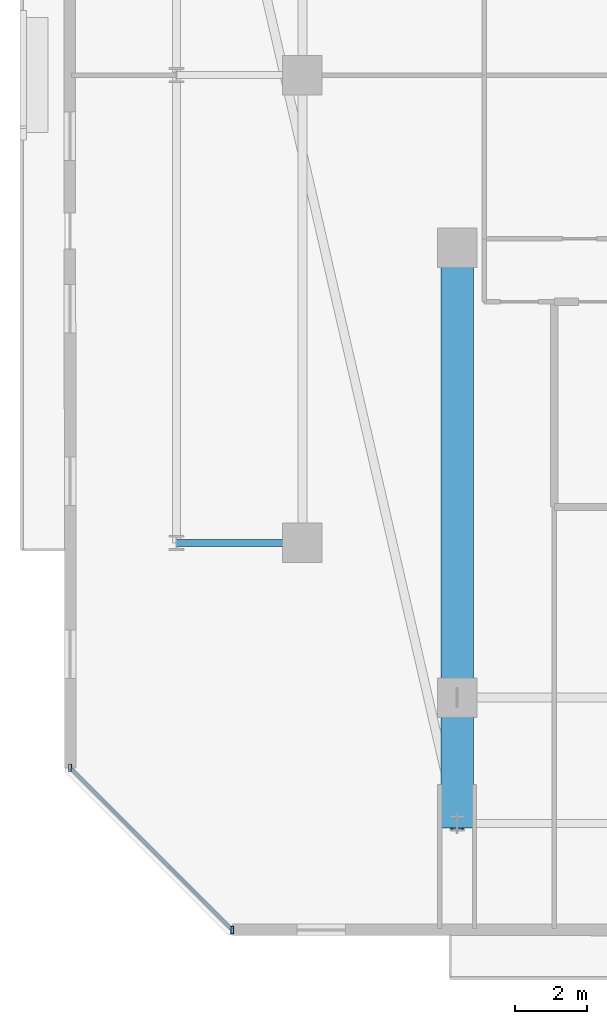
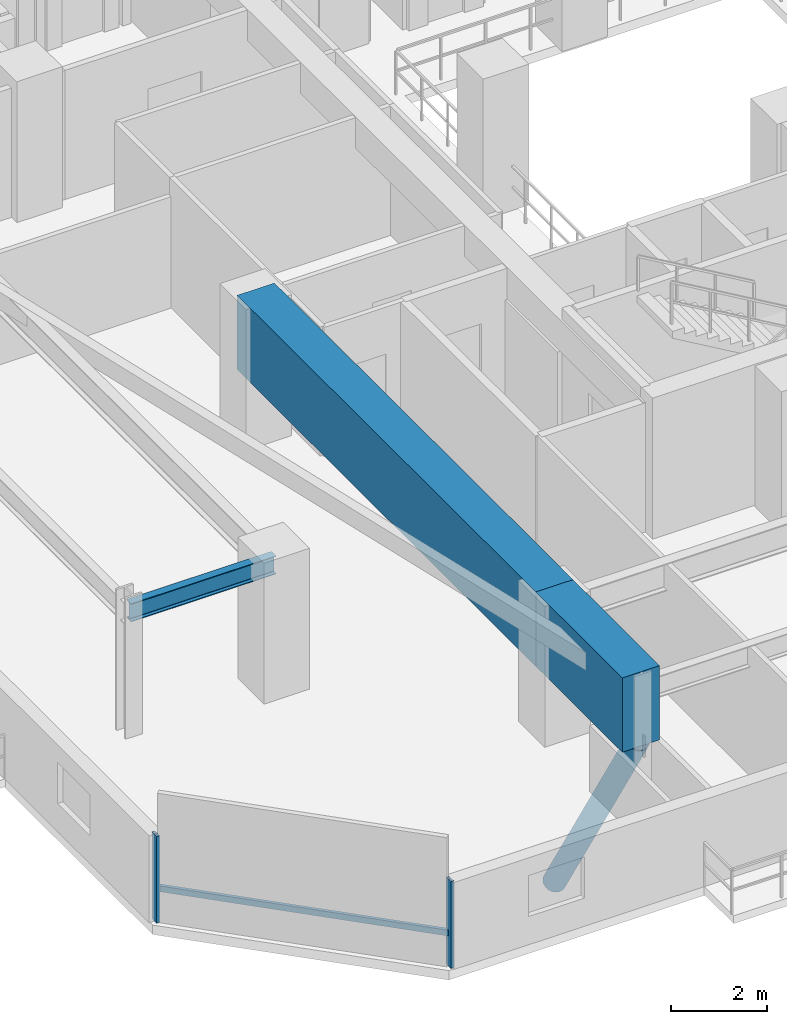
# One storey, part 3 of 35: 4 members, 3 beams, 1 element without a shape of its own.
"""IFC4 building model written with IfcOpenShell, lengths in metres."""

from ifc_helpers import new_model, si_unit, direction, frame, origin, origin_2d, place, context, subcontext, project, spatial, rectangle, hollow_rectangle, hollow_circle, i_section, extrude, material, material_profile, profile_set, type_object, element, aggregate, save


model = new_model("IFC4")

# Units and contexts
model_context = context("Model", 3, precision=1e-05, world=origin(), true_north=direction((0.0, 1.0)))
body_context = subcontext(model_context, "Body", "Model", "MODEL_VIEW")
ifc_project = project(units=[si_unit("LENGTHUNIT", "METRE"), si_unit("AREAUNIT", "SQUARE_METRE"), si_unit("VOLUMEUNIT", "CUBIC_METRE"), si_unit("PLANEANGLEUNIT", "RADIAN"), si_unit("MASSUNIT", "GRAM", prefix="KILO")], contexts=[model_context])

# Site, building, storey
site_placement = place(None, origin())
site = spatial("IfcSite", under=ifc_project, at=site_placement, CompositionType="ELEMENT")
building_placement = place(site_placement, origin())
building = spatial("IfcBuilding", under=site, at=building_placement, Name="Thornwick Lancets Civic Towers", CompositionType="ELEMENT")
storey_placement = place(building_placement, frame((0.0, 0.0, 145.5)))
storey = spatial("IfcBuildingStorey", under=building, at=storey_placement, Name="L38", CompositionType="ELEMENT", Elevation=145.5)

# Beams
ifc_material_1 = material(Name="Steel S355JR", Category="steel")
ifc_material_profile_1 = material_profile(ifc_material_1, i_section(OverallWidth=0.19189453125, OverallDepth=0.46337890625, WebThickness=0.010498046875, FlangeThickness=0.017578125, FilletRadius=0.01025390625, at=origin_2d()), Name="UKB 457x191x89")
ifc_profile_set_1 = profile_set([ifc_material_profile_1], Name="Steel S355JR")
beam_type_1 = type_object("IfcBeamType", Name="BM_JOIST_457_89", PredefinedType="JOIST", material=ifc_profile_set_1)
beam_1_placement = place(storey_placement, frame((8.199951171875, 14.0, 3.08837890625), z_axis=(-1.0, 0.0, 0.0), x_axis=(0.0, -1.0, 0.0)))
element("IfcBeam", 1, at=beam_1_placement, inside=storey, type_object=beam_type_1, Name="BM-RAD-L38-A10", PredefinedType="JOIST", context=body_context, shape_type="SweptSolid", body=[
    extrude(i_section(OverallWidth=0.19189453125, OverallDepth=0.46337890625, WebThickness=0.010498046875, FlangeThickness=0.017578125, FilletRadius=0.01025390625, at=origin_2d()), origin(), (0.0, 0.0, 1.0), 3.5),
])
ifc_material_2 = material(Name="Concrete C60/75", Category="concrete")
ifc_material_profile_2 = material_profile(ifc_material_2, rectangle(XDim=0.89990234375, YDim=1.89990234375, at=origin_2d()), Name="RC 900x1900")
ifc_profile_set_2 = profile_set([ifc_material_profile_2], Name="Concrete C60/75")
beam_type_2 = type_object("IfcBeamType", Name="BM_TR_RC1900", PredefinedType="BEAM", material=ifc_profile_set_2)
beam_2_placement = place(storey_placement, frame((12.5, 22.199951171875, 2.64990234375), z_axis=(0.0, -1.0, 0.0), x_axis=(1.0, 0.0, 0.0)))
element("IfcBeam", 2, at=beam_2_placement, inside=storey, type_object=beam_type_2, Name="TG-BACK-L39-A01", PredefinedType="BEAM", context=body_context, shape_type="SweptSolid", body=[
    extrude(rectangle(XDim=0.89990234375, YDim=1.89990234375, at=origin_2d()), origin(), (0.0, 0.0, 1.0), 12.5),
])
beam_3_placement = place(storey_placement, frame((12.5, 9.699951171875, 2.64990234375), z_axis=(0.0, -1.0, 0.0), x_axis=(1.0, 0.0, 0.0)))
element("IfcBeam", 3, at=beam_3_placement, inside=storey, type_object=beam_type_2, Name="TG-CANT-L39-A01", PredefinedType="BEAM", context=body_context, shape_type="SweptSolid", body=[
    extrude(rectangle(XDim=0.89990234375, YDim=1.89990234375, at=origin_2d()), origin(), (0.0, 0.0, 1.0), 3.619873046875),
])

# Curtain wall, members
ifc_material_3 = material(Name="Mid-zone chamfered-corner unitised glass curtain wall", Category="glass")
curtain_wall_type = type_object("IfcCurtainWallType", Name="CW_SYS_04", PredefinedType="NOTDEFINED", material=ifc_material_3)
curtain_wall_placement = place(storey_placement, origin())
curtain_wall = element("IfcCurtainWall", 4, at=curtain_wall_placement, inside=storey, type_object=curtain_wall_type, Name="L38 Curtain Wall CW-L38-A-E7", PredefinedType="NOTDEFINED")
ifc_material_4 = material(Name="Thermally broken bronze aluminium S355", Category="steel")
ifc_material_profile_3 = material_profile(ifc_material_4, hollow_rectangle(XDim=0.080078125, YDim=0.199951171875, WallThickness=0.006103515625, at=origin_2d()), Name="RHS 200x80x6")
ifc_profile_set_3 = profile_set([ifc_material_profile_3], Name="Thermally broken bronze aluminium S355")
member_type_1 = type_object("IfcMemberType", Name="CW_MUL_200", PredefinedType="MULLION", material=ifc_profile_set_3)
member_1_placement = place(storey_placement, frame((1.74169921875, 7.7490234375, 0.0), z_axis=(0.0, 0.0, 1.0), x_axis=(1.0, 0.0, 0.0)))
member_1 = element("IfcMember", 5, at=member_1_placement, type_object=member_type_1, Name="CW-L38-A-E7 Mullion 0", PredefinedType="MULLION", context=body_context, shape_type="SweptSolid", body=[
    extrude(hollow_rectangle(XDim=0.080078125, YDim=0.199951171875, WallThickness=0.006103515625, at=origin_2d()), origin(), (0.0, 0.0, 1.0), 2.219970703125),
])
member_2_placement = place(storey_placement, frame((6.2490234375, 3.24169921875, 0.0), z_axis=(0.0, 0.0, 1.0), x_axis=(1.0, 0.0, 0.0)))
member_2 = element("IfcMember", 6, at=member_2_placement, type_object=member_type_1, Name="CW-L38-A-E7 Mullion 1", PredefinedType="MULLION", context=body_context, shape_type="SweptSolid", body=[
    extrude(hollow_rectangle(XDim=0.080078125, YDim=0.199951171875, WallThickness=0.006103515625, at=origin_2d()), origin(), (0.0, 0.0, 1.0), 2.219970703125),
])
ifc_material_profile_4 = material_profile(ifc_material_4, hollow_rectangle(XDim=0.074951171875, YDim=0.14990234375, WallThickness=0.0048828125, at=origin_2d()), Name="RHS 150x75x5")
ifc_profile_set_4 = profile_set([ifc_material_profile_4], Name="Thermally broken bronze aluminium S355")
member_type_2 = type_object("IfcMemberType", Name="CW_TRN_150", PredefinedType="USERDEFINED", material=ifc_profile_set_4)
member_3_placement = place(storey_placement, frame((1.755859375, 7.73486328125, 0.85009765625), z_axis=(0.707106781187, -0.707106781187, 0.0), x_axis=(0.707106781187, 0.707106781187, 0.0)))
member_3 = element("IfcMember", 7, at=member_3_placement, type_object=member_type_2, Name="CW-L38-A-E7 Transom 0", ObjectType="TRANSOM", PredefinedType="USERDEFINED", context=body_context, shape_type="SweptSolid", body=[
    extrude(hollow_rectangle(XDim=0.074951171875, YDim=0.14990234375, WallThickness=0.0048828125, at=origin_2d()), origin(), (0.0, 0.0, 1.0), 6.334228515625),
])
aggregate(curtain_wall, [member_1, member_2, member_3])

# Member
ifc_material_5 = material(Name="Steel S460M", Category="steel")
ifc_material_profile_5 = material_profile(ifc_material_5, hollow_circle(Radius=0.25390625, WallThickness=0.02490234375, at=origin_2d()), Name="CHS 508x25")
ifc_profile_set_5 = profile_set([ifc_material_profile_5], Name="Steel S460M")
member_type_3 = type_object("IfcMemberType", Name="MEM_STRUT_CHS508", PredefinedType="STRUT", material=ifc_profile_set_5)
member_4_placement = place(storey_placement, frame((12.5, 9.699951171875, -3.949951171875), z_axis=(0.0, -0.52127056277, 0.853391469602), x_axis=(1.0, 0.0, 0.0)))
element("IfcMember", 8, at=member_4_placement, inside=storey, type_object=member_type_3, Name="L39 Jenga Transfer Raking Strut A01", PredefinedType="STRUT", context=body_context, shape_type="SweptSolid", body=[
    extrude(hollow_circle(Radius=0.25390625, WallThickness=0.02490234375, at=origin_2d()), origin(), (0.0, 0.0, 1.0), 6.71435546875),
])

save(model, "model.ifc")
